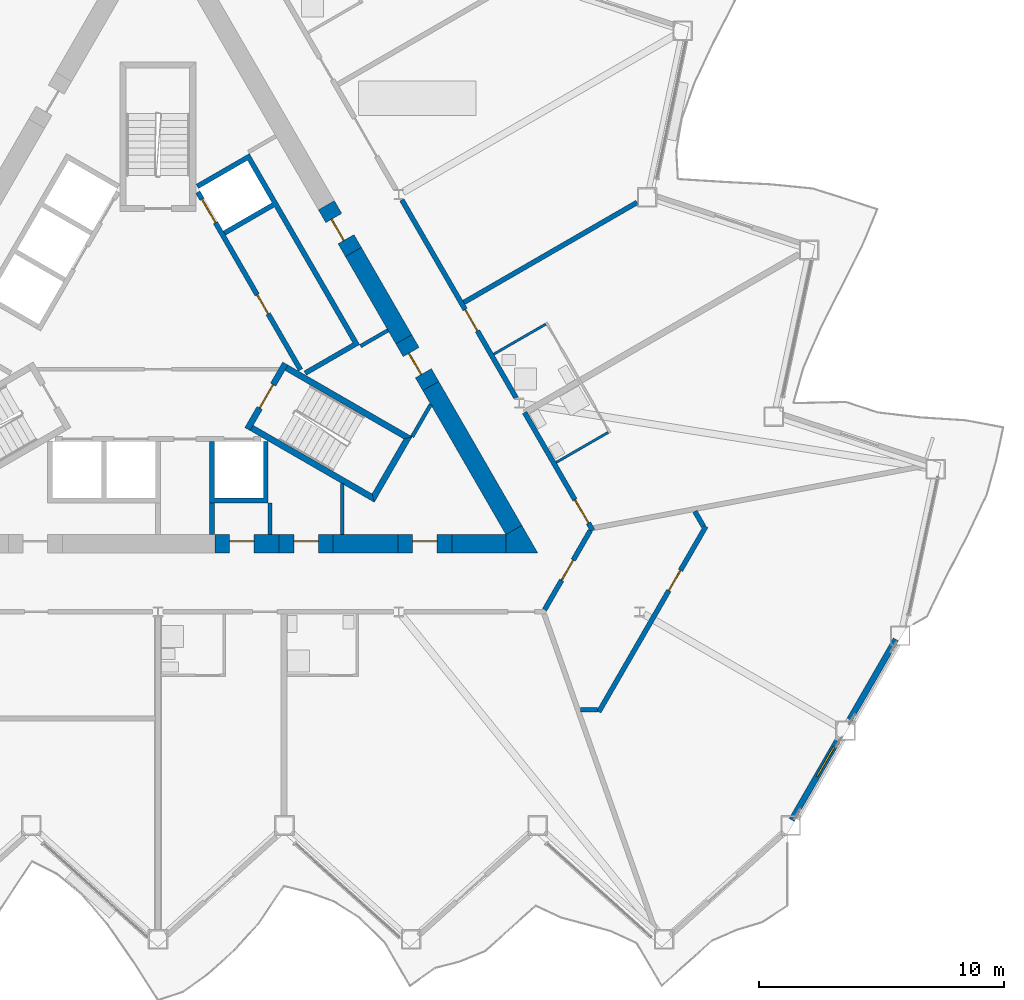
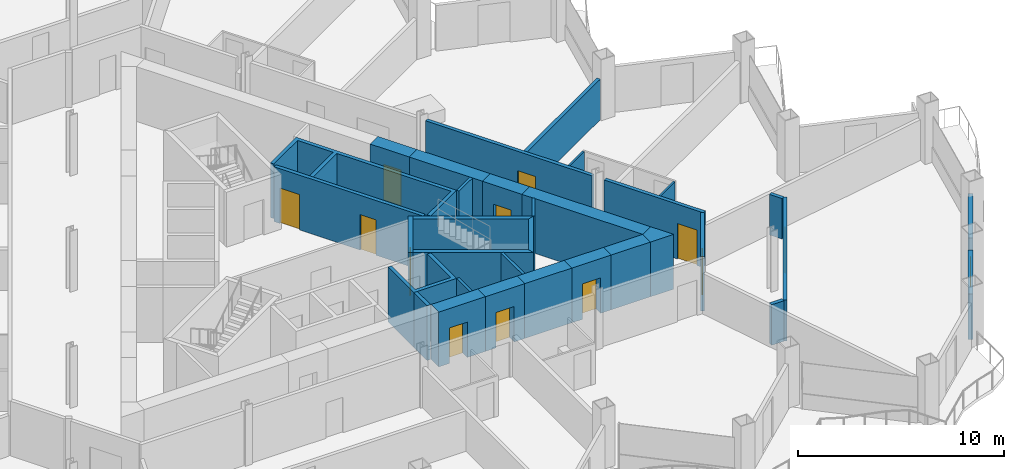
# One storey, part 12 of 22: 33 walls, 12 doors, 1 window, 13 openings.
"""IFC4 building model written with IfcOpenShell, lengths in metres."""

from ifc_helpers import new_model, si_unit, direction, frame, frame_2d, origin, place, context, subcontext, project, spatial, polyline, rectangle, outline, extrude, material, layer, layer_set, type_object, element, fill, save


model = new_model("IFC4")

# Units and contexts
model_context = context("Model", 3, precision=1e-05, world=origin(), true_north=direction((0.0, 1.0)))
body_context = subcontext(model_context, "Body", "Model", "MODEL_VIEW")
ifc_project = project(units=[si_unit("LENGTHUNIT", "METRE"), si_unit("AREAUNIT", "SQUARE_METRE"), si_unit("VOLUMEUNIT", "CUBIC_METRE"), si_unit("PLANEANGLEUNIT", "RADIAN"), si_unit("MASSUNIT", "GRAM", prefix="KILO")], contexts=[model_context])

# Site, building, storey
site_placement = place(None, origin())
site = spatial("IfcSite", under=ifc_project, at=site_placement, CompositionType="ELEMENT")
building_placement = place(site_placement, origin())
building = spatial("IfcBuilding", under=site, at=building_placement, Name="Cormorant Prow Tower", CompositionType="ELEMENT")
storey_placement = place(building_placement, frame((0.0, 0.0, 198.0)))
storey = spatial("IfcBuildingStorey", under=building, at=storey_placement, Name="L43", CompositionType="ELEMENT", Elevation=198.0)

# Walls
ifc_material_1 = material(Name="Gypsum board partition")
ifc_layer_1 = layer(ifc_material_1, 0.14990234375)
ifc_layer_set_1 = layer_set([ifc_layer_1], Name="Gypsum board partition")
wall_type_1 = type_object("IfcWallType", Name="Core partition 150", PredefinedType="PARTITIONING", material=ifc_layer_set_1)
for number, where, z_axis, x_axis, name in (
    (1, (8.268310546875, -0.509033203125, 0.0), (0.0, 0.0, 1.0), (0.866003189247, 0.500038474733, 0.0), "Service room partition"),
    (2, (4.574951171875, -6.906005859375, 0.0), (0.0, 0.0, 1.0), (0.0, -1.0, 0.0), "Service room partition"),
):
    element("IfcWall", number, at=place(storey_placement, frame(where, z_axis=z_axis, x_axis=x_axis)), inside=storey, type_object=wall_type_1, Name=name, PredefinedType="PARTITIONING", context=body_context, shape_type="SweptSolid", body=[
        extrude(rectangle(XDim=1.29296875, YDim=0.14990234375, at=frame_2d((0.646484375, 0.0))), origin(), (0.0, 0.0, 1.0), 3.25),
    ])
wall_1_placement = place(storey_placement, frame((7.515380859375, -8.198974609375, 0.0), z_axis=(0.0, 0.0, 1.0), x_axis=(0.0, 1.0, 0.0)))
element("IfcWall", 3, at=wall_1_placement, inside=storey, type_object=wall_type_1, Name="Service room partition", PredefinedType="PARTITIONING", context=body_context, shape_type="SweptSolid", body=[
    extrude(rectangle(XDim=2.087158203125, YDim=0.14990234375, at=frame_2d((1.04345703125, 0.0))), origin(), (0.0, 0.0, 1.0), 3.25),
])
wall_2_placement = place(storey_placement, frame((10.37353515625, -4.206298828125, 0.0), z_axis=(0.0, 0.0, 1.0), x_axis=(0.500037110984, 0.866003976688, 0.0)))
element("IfcWall", 4, at=wall_2_placement, inside=storey, type_object=wall_type_1, Name="Service room partition", PredefinedType="PARTITIONING", context=body_context, shape_type="SweptSolid", body=[
    extrude(rectangle(XDim=1.5224609375, YDim=0.14990234375, at=frame_2d((0.76123046875, 0.0))), origin(), (0.0, 0.0, 1.0), 3.25),
])
ifc_material_2 = material(Name="Concrete 8000 psi", Category="concrete")
ifc_layer_2 = layer(ifc_material_2, 0.75)
ifc_layer_set_2 = layer_set([ifc_layer_2], Name="Concrete 8000 psi")
wall_type_2 = type_object("IfcWallType", Name="Core shear wall 750", PredefinedType="SHEAR", material=ifc_layer_set_2)
wall_3_placement = place(storey_placement, frame((7.14501953125, -8.573974609375, 0.0), z_axis=(0.0, 0.0, 1.0), x_axis=(1.0, 0.0, 0.0)))
element("IfcWall", 5, at=wall_3_placement, inside=storey, type_object=wall_type_2, Name="Core wall", PredefinedType="SHEAR", context=body_context, shape_type="SweptSolid", body=[
    extrude(rectangle(XDim=2.650634765625, YDim=0.75, at=frame_2d((1.3251953125, 0.0))), origin(), (0.0, 0.0, 1.0), 3.25),
])
wall_4_placement = place(storey_placement, frame((11.99560546875, -8.573974609375, 0.0), z_axis=(0.0, 0.0, 1.0), x_axis=(1.0, 0.0, 0.0)))
element("IfcWall", 6, at=wall_4_placement, inside=storey, type_object=wall_type_2, Name="Core wall", PredefinedType="SHEAR", context=body_context, shape_type="SweptSolid", body=[
    extrude(rectangle(XDim=2.205322265625, YDim=0.75, at=frame_2d((1.1025390625, 0.0))), origin(), (0.0, 0.0, 1.0), 3.25),
])
wall_5_placement = place(storey_placement, frame((14.525634765625, -8.011474609375, 0.0), z_axis=(0.0, 0.0, 1.0), x_axis=(-0.499982018922, 0.866035784916, 0.0)))
element("IfcWall", 7, at=wall_5_placement, inside=storey, type_object=wall_type_2, Name="Core wall", PredefinedType="SHEAR", context=body_context, shape_type="SweptSolid", body=[
    extrude(rectangle(XDim=6.784912109375, YDim=0.75, at=frame_2d((3.392578125, 0.0))), origin(), (0.0, 0.0, 1.0), 3.25),
])
wall_6_placement = place(storey_placement, frame((10.033203125, -0.22998046875, 0.0), z_axis=(0.0, 0.0, 1.0), x_axis=(-0.500030520673, 0.866007781949, 0.0)))
element("IfcWall", 8, at=wall_6_placement, inside=storey, type_object=wall_type_2, Name="Core wall", PredefinedType="SHEAR", context=body_context, shape_type="SweptSolid", body=[
    extrude(rectangle(XDim=4.115966796875, YDim=0.75, at=frame_2d((2.05810546875, 0.0))), origin(), (0.0, 0.0, 1.0), 3.25),
])
wall_7_placement = place(storey_placement, origin())
element("IfcWall", 9, at=wall_7_placement, inside=storey, type_object=wall_type_2, Name="Core wall corner", PredefinedType="SHEAR", context=body_context, shape_type="SweptSolid", body=[
    extrude(outline(polyline([(14.200927734375, -8.948974609375), (14.200927734375, -8.198974609375), (14.8505859375, -7.823974609375), (15.5, -8.948974609375), (14.200927734375, -8.948974609375)])), origin(), (0.0, 0.0, 1.0), 3.25),
])

# Wall, opening, door
wall_8_placement = place(storey_placement, frame((2.320068359375, -8.573974609375, 0.0), z_axis=(0.0, 0.0, 1.0), x_axis=(1.0, 0.0, 0.0)))
wall_8 = element("IfcWall", 10, at=wall_8_placement, inside=storey, type_object=wall_type_2, Name="Core wall door panel", PredefinedType="SHEAR", context=body_context, shape_type="SweptSolid", body=[
    extrude(rectangle(XDim=2.625, YDim=0.75, at=frame_2d((1.3125, 0.0))), origin(), (0.0, 0.0, 1.0), 3.25),
])
opening_1_placement = place(wall_8_placement, frame((0.60009765625, 0.0, 0.0)))
opening_1 = element("IfcOpeningElement", 11, at=opening_1_placement, cuts=wall_8, Name="Opening L43-C13", PredefinedType="OPENING", context=body_context, shape_type="SweptSolid", body=[
    extrude(rectangle(XDim=1.0, YDim=2.10009765625, at=frame_2d((0.5, 1.050048828125))), frame((0.0, 0.385009765625, 0.0), z_axis=(0.0, -1.0, 0.0), x_axis=(1.0, 0.0, 0.0)), (0.0, 0.0, 1.0), 0.77001953125),
])
ifc_material_3 = material(Name="Painted steel", Category="steel")
door_type_1 = type_object("IfcDoorType", Name="Service door 1000x2100", OperationType="NOTDEFINED", PredefinedType="DOOR", material=ifc_material_3)
door_1_placement = place(opening_1_placement, origin())
door_1 = element("IfcDoor", 12, at=door_1_placement, inside=storey, type_object=door_type_1, Name="Core door, Telecom room", OperationType="SINGLE_SWING_LEFT", OverallHeight=2.10009765625, OverallWidth=1.0, PredefinedType="DOOR", context=body_context, shape_type="SweptSolid", body=[
    extrude(rectangle(XDim=1.0, YDim=2.10009765625, at=frame_2d((0.5, 1.050048828125))), frame((0.0, 0.1298828125, 0.0), z_axis=(0.0, -1.0, 0.0), x_axis=(1.0, 0.0, 0.0)), (0.0, 0.0, 1.0), 0.050048828125),
])
fill(opening_1, door_1)

wall_9_placement = place(storey_placement, frame((4.945068359375, -8.573974609375, 0.0), z_axis=(0.0, 0.0, 1.0), x_axis=(1.0, 0.0, 0.0)))
wall_9 = element("IfcWall", 13, at=wall_9_placement, inside=storey, type_object=wall_type_2, Name="Core wall door panel", PredefinedType="SHEAR", context=body_context, shape_type="SweptSolid", body=[
    extrude(rectangle(XDim=2.199951171875, YDim=0.75, at=frame_2d((1.10009765625, 0.0))), origin(), (0.0, 0.0, 1.0), 3.25),
])
opening_2_placement = place(wall_9_placement, frame((0.60009765625, 0.0, 0.0)))
opening_2 = element("IfcOpeningElement", 14, at=opening_2_placement, cuts=wall_9, Name="Opening L43-C15", PredefinedType="OPENING", context=body_context, shape_type="SweptSolid", body=[
    extrude(rectangle(XDim=1.0, YDim=2.10009765625, at=frame_2d((0.5, 1.050048828125))), frame((0.0, 0.385009765625, 0.0), z_axis=(0.0, -1.0, 0.0), x_axis=(1.0, 0.0, 0.0)), (0.0, 0.0, 1.0), 0.77001953125),
])
door_2_placement = place(opening_2_placement, origin())
door_2 = element("IfcDoor", 15, at=door_2_placement, inside=storey, type_object=door_type_1, Name="Core door, Electrical room", OperationType="SINGLE_SWING_RIGHT", OverallHeight=2.10009765625, OverallWidth=1.0, PredefinedType="DOOR", context=body_context, shape_type="SweptSolid", body=[
    extrude(rectangle(XDim=1.0, YDim=2.10009765625, at=frame_2d((0.5, 1.050048828125))), frame((0.0, 0.1298828125, 0.0), z_axis=(0.0, -1.0, 0.0), x_axis=(1.0, 0.0, 0.0)), (0.0, 0.0, 1.0), 0.050048828125),
])
fill(opening_2, door_2)

wall_10_placement = place(storey_placement, frame((9.795654296875, -8.573974609375, 0.0), z_axis=(0.0, 0.0, 1.0), x_axis=(1.0, 0.0, 0.0)))
wall_10 = element("IfcWall", 16, at=wall_10_placement, inside=storey, type_object=wall_type_2, Name="Core wall door panel", PredefinedType="SHEAR", context=body_context, shape_type="SweptSolid", body=[
    extrude(rectangle(XDim=2.199951171875, YDim=0.75, at=frame_2d((1.10009765625, 0.0))), origin(), (0.0, 0.0, 1.0), 3.25),
])
opening_3_placement = place(wall_10_placement, frame((0.60009765625, 0.0, 0.0)))
opening_3 = element("IfcOpeningElement", 17, at=opening_3_placement, cuts=wall_10, Name="Opening L43-C16", PredefinedType="OPENING", context=body_context, shape_type="SweptSolid", body=[
    extrude(rectangle(XDim=1.0, YDim=2.10009765625, at=frame_2d((0.5, 1.050048828125))), frame((0.0, 0.385009765625, 0.0), z_axis=(0.0, -1.0, 0.0), x_axis=(1.0, 0.0, 0.0)), (0.0, 0.0, 1.0), 0.77001953125),
])
door_3_placement = place(opening_3_placement, origin())
door_3 = element("IfcDoor", 18, at=door_3_placement, inside=storey, type_object=door_type_1, Name="Core door, Mechanical riser room", OperationType="SINGLE_SWING_RIGHT", OverallHeight=2.10009765625, OverallWidth=1.0, PredefinedType="DOOR", context=body_context, shape_type="SweptSolid", body=[
    extrude(rectangle(XDim=1.0, YDim=2.10009765625, at=frame_2d((0.5, 1.050048828125))), frame((0.0, 0.1298828125, 0.0), z_axis=(0.0, -1.0, 0.0), x_axis=(1.0, 0.0, 0.0)), (0.0, 0.0, 1.0), 0.050048828125),
])
fill(opening_3, door_3)

wall_11_placement = place(storey_placement, frame((7.975341796875, 3.33447265625, 0.0), z_axis=(0.0, 0.0, 1.0), x_axis=(-0.500077893725, 0.86598042715, 0.0)))
wall_11 = element("IfcWall", 19, at=wall_11_placement, inside=storey, type_object=wall_type_2, Name="Core wall door panel", PredefinedType="SHEAR", context=body_context, shape_type="SweptSolid", body=[
    extrude(rectangle(XDim=2.199951171875, YDim=0.75, at=frame_2d((1.10009765625, 0.0))), origin(), (0.0, 0.0, 1.0), 3.25),
])
opening_4_placement = place(wall_11_placement, frame((0.60009765625, 0.0, 0.0)))
opening_4 = element("IfcOpeningElement", 20, at=opening_4_placement, cuts=wall_11, Name="Opening L43-C18", PredefinedType="OPENING", context=body_context, shape_type="SweptSolid", body=[
    extrude(rectangle(XDim=1.0, YDim=2.10009765625, at=frame_2d((0.5, 1.050048828125))), frame((0.0, 0.385009765625, 0.0), z_axis=(0.0, -1.0, 0.0), x_axis=(1.0, 0.0, 0.0)), (0.0, 0.0, 1.0), 0.77001953125),
])
door_4_placement = place(opening_4_placement, origin())
door_4 = element("IfcDoor", 21, at=door_4_placement, inside=storey, type_object=door_type_1, Name="Core door, Pantry store", OperationType="SINGLE_SWING_LEFT", OverallHeight=2.10009765625, OverallWidth=1.0, PredefinedType="DOOR", context=body_context, shape_type="SweptSolid", body=[
    extrude(rectangle(XDim=1.0, YDim=2.10009765625, at=frame_2d((0.5, 1.050048828125))), frame((0.0, 0.1298828125, 0.0), z_axis=(0.0, -1.0, 0.0), x_axis=(1.0, 0.0, 0.0)), (0.0, 0.0, 1.0), 0.050048828125),
])
fill(opening_4, door_4)

wall_12_placement = place(storey_placement, frame((11.13330078125, -2.135498046875, 0.0), z_axis=(0.0, 0.0, 1.0), x_axis=(-0.499981787252, 0.866035918664, 0.0)))
wall_12 = element("IfcWall", 22, at=wall_12_placement, inside=storey, type_object=wall_type_2, Name="Core wall door panel", PredefinedType="SHEAR", context=body_context, shape_type="SweptSolid", body=[
    extrude(rectangle(XDim=2.2001953125, YDim=0.75, at=frame_2d((1.10009765625, 0.0))), origin(), (0.0, 0.0, 1.0), 3.25),
])
opening_5_placement = place(wall_12_placement, frame((0.60009765625, 0.0, 0.0)))
opening_5 = element("IfcOpeningElement", 23, at=opening_5_placement, cuts=wall_12, Name="Opening L43-C20", PredefinedType="OPENING", context=body_context, shape_type="SweptSolid", body=[
    extrude(rectangle(XDim=1.0, YDim=2.10009765625, at=frame_2d((0.5, 1.050048828125))), frame((0.0, 0.385009765625, 0.0), z_axis=(0.0, -1.0, 0.0), x_axis=(1.0, 0.0, 0.0)), (0.0, 0.0, 1.0), 0.77001953125),
])
door_5_placement = place(opening_5_placement, origin())
door_5 = element("IfcDoor", 24, at=door_5_placement, inside=storey, type_object=door_type_1, Name="Core door, Mechanical riser room", OperationType="SINGLE_SWING_RIGHT", OverallHeight=2.10009765625, OverallWidth=1.0, PredefinedType="DOOR", context=body_context, shape_type="SweptSolid", body=[
    extrude(rectangle(XDim=1.0, YDim=2.10009765625, at=frame_2d((0.5, 1.050048828125))), frame((0.0, 0.1298828125, 0.0), z_axis=(0.0, -1.0, 0.0), x_axis=(1.0, 0.0, 0.0)), (0.0, 0.0, 1.0), 0.050048828125),
])
fill(opening_5, door_5)

ifc_material_4 = material(Name="Gypsum board corridor wall")
ifc_layer_3 = layer(ifc_material_4, 0.199951171875)
ifc_layer_set_3 = layer_set([ifc_layer_3], Name="Gypsum board corridor wall")
wall_type_3 = type_object("IfcWallType", Name="Corridor wall 200", PredefinedType="PARTITIONING", material=ifc_layer_set_3)
wall_13_placement = place(storey_placement, frame((9.951904296875, 5.460693359375, 0.0), z_axis=(0.0, 0.0, 1.0), x_axis=(0.50000393355, -0.866023132736, 0.0)))
wall_13 = element("IfcWall", 25, at=wall_13_placement, inside=storey, type_object=wall_type_3, Name="Corridor wall", PredefinedType="PARTITIONING", context=body_context, shape_type="SweptSolid", body=[
    extrude(rectangle(XDim=9.3349609375, YDim=0.199951171875, at=frame_2d((4.66748046875, 0.0))), origin(), (0.0, 0.0, 1.0), 3.25),
])
opening_6_placement = place(wall_13_placement, frame((5.171875, 0.0, 0.0)))
opening_6 = element("IfcOpeningElement", 26, at=opening_6_placement, cuts=wall_13, Name="Opening L43-F11", PredefinedType="OPENING", context=body_context, shape_type="SweptSolid", body=[
    extrude(rectangle(XDim=1.0, YDim=2.10009765625, at=frame_2d((0.5, 1.050048828125))), frame((0.0, 0.10986328125, 0.0), z_axis=(0.0, -1.0, 0.0), x_axis=(1.0, 0.0, 0.0)), (0.0, 0.0, 1.0), 0.219970703125),
])
ifc_material_5 = material(Name="Timber door leaf", Category="wood")
door_type_2 = type_object("IfcDoorType", Name="Flat or room entrance door 1000x2100", OperationType="NOTDEFINED", PredefinedType="DOOR", material=ifc_material_5)
door_6_placement = place(opening_6_placement, origin())
door_6 = element("IfcDoor", 27, at=door_6_placement, inside=storey, type_object=door_type_2, Name="Guest room door", OperationType="SINGLE_SWING_LEFT", OverallHeight=2.10009765625, OverallWidth=1.0, PredefinedType="DOOR", context=body_context, shape_type="SweptSolid", body=[
    extrude(rectangle(XDim=1.0, YDim=2.10009765625, at=frame_2d((0.5, 1.050048828125))), frame((0.0, 0.02490234375, 0.0), z_axis=(0.0, -1.0, 0.0), x_axis=(1.0, 0.0, 0.0)), (0.0, 0.0, 1.0), 0.050048828125),
])
fill(opening_6, door_6)

wall_14_placement = place(storey_placement, frame((14.9619140625, -3.217041015625, 0.0), z_axis=(0.0, 0.0, 1.0), x_axis=(0.500013660489, -0.866017516754, 0.0)))
wall_14 = element("IfcWall", 28, at=wall_14_placement, inside=storey, type_object=wall_type_3, Name="Corridor wall", PredefinedType="PARTITIONING", context=body_context, shape_type="SweptSolid", body=[
    extrude(rectangle(XDim=5.563720703125, YDim=0.199951171875, at=frame_2d((2.78173828125, 0.0))), origin(), (0.0, 0.0, 1.0), 3.25),
])
opening_7_placement = place(wall_14_placement, frame((4.1123046875, 0.0, 0.0)))
opening_7 = element("IfcOpeningElement", 29, at=opening_7_placement, cuts=wall_14, Name="Opening L43-F09", PredefinedType="OPENING", context=body_context, shape_type="SweptSolid", body=[
    extrude(rectangle(XDim=1.10009765625, YDim=2.10009765625, at=frame_2d((0.550048828125, 1.050048828125))), frame((0.0, 0.10986328125, 0.0), z_axis=(0.0, -1.0, 0.0), x_axis=(1.0, 0.0, 0.0)), (0.0, 0.0, 1.0), 0.219970703125),
])
ifc_material_6 = material(Name="Timber door leaf", Category="wood")
door_type_3 = type_object("IfcDoorType", Name="Suite entrance door 1100x2100", OperationType="NOTDEFINED", PredefinedType="DOOR", material=ifc_material_6)
door_7_placement = place(opening_7_placement, origin())
door_7 = element("IfcDoor", 30, at=door_7_placement, inside=storey, type_object=door_type_3, Name="Junior suite door", OperationType="SINGLE_SWING_RIGHT", OverallHeight=2.10009765625, OverallWidth=1.10009765625, PredefinedType="DOOR", context=body_context, shape_type="SweptSolid", body=[
    extrude(rectangle(XDim=1.10009765625, YDim=2.10009765625, at=frame_2d((0.550048828125, 1.050048828125))), frame((0.0, 0.02490234375, 0.0), z_axis=(0.0, -1.0, 0.0), x_axis=(1.0, 0.0, 0.0)), (0.0, 0.0, 1.0), 0.050048828125),
])
fill(opening_7, door_7)

wall_15_placement = place(storey_placement, frame((15.781005859375, -11.26220703125, 0.0), z_axis=(0.0, 0.0, 1.0), x_axis=(0.499958791762, 0.866049194065, 0.0)))
wall_15 = element("IfcWall", 31, at=wall_15_placement, inside=storey, type_object=wall_type_3, Name="Corridor wall", PredefinedType="PARTITIONING", context=body_context, shape_type="SweptSolid", body=[
    extrude(rectangle(XDim=3.725830078125, YDim=0.199951171875, at=frame_2d((1.86279296875, 0.0))), origin(), (0.0, 0.0, 1.0), 3.25),
])
opening_8_placement = place(wall_15_placement, frame((1.387939453125, 0.0, 0.0)))
opening_8 = element("IfcOpeningElement", 32, at=opening_8_placement, cuts=wall_15, Name="Opening L43-F07", PredefinedType="OPENING", context=body_context, shape_type="SweptSolid", body=[
    extrude(rectangle(XDim=0.949951171875, YDim=2.10009765625, at=frame_2d((0.47509765625, 1.050048828125))), frame((0.0, 0.10986328125, 0.0), z_axis=(0.0, -1.0, 0.0), x_axis=(1.0, 0.0, 0.0)), (0.0, 0.0, 1.0), 0.219970703125),
])
ifc_material_7 = material(Name="Timber door leaf", Category="wood")
door_type_4 = type_object("IfcDoorType", Name="Store door 950x2100", OperationType="NOTDEFINED", PredefinedType="DOOR", material=ifc_material_7)
door_8_placement = place(opening_8_placement, origin())
door_8 = element("IfcDoor", 33, at=door_8_placement, inside=storey, type_object=door_type_4, Name="Housekeeping room door", OperationType="SINGLE_SWING_LEFT", OverallHeight=2.10009765625, OverallWidth=0.949951171875, PredefinedType="DOOR", context=body_context, shape_type="SweptSolid", body=[
    extrude(rectangle(XDim=0.949951171875, YDim=2.10009765625, at=frame_2d((0.47509765625, 1.050048828125))), frame((0.0, 0.02490234375, 0.0), z_axis=(0.0, -1.0, 0.0), x_axis=(1.0, 0.0, 0.0)), (0.0, 0.0, 1.0), 0.050048828125),
])
fill(opening_8, door_8)

ifc_material_8 = material(Name="Gypsum board demising wall")
ifc_layer_4 = layer(ifc_material_8, 0.199951171875)
ifc_layer_set_4 = layer_set([ifc_layer_4], Name="Gypsum board demising wall")
wall_type_4 = type_object("IfcWallType", Name="Demising wall 200", PredefinedType="PARTITIONING", material=ifc_layer_set_4)
wall_16_placement = place(storey_placement, frame((17.990234375, -15.435546875, 0.0), z_axis=(0.0, 0.0, 1.0), x_axis=(0.500012451049, 0.866018215049, 0.0)))
wall_16 = element("IfcWall", 34, at=wall_16_placement, inside=storey, type_object=wall_type_4, Name="Demising wall", PredefinedType="PARTITIONING", context=body_context, shape_type="SweptSolid", body=[
    extrude(rectangle(XDim=8.744873046875, YDim=0.199951171875, at=frame_2d((4.37255859375, 0.0))), origin(), (0.0, 0.0, 1.0), 2.404296875),
])
opening_9_placement = place(wall_16_placement, frame((5.72119140625, 0.0, 0.0)))
opening_9 = element("IfcOpeningElement", 35, at=opening_9_placement, cuts=wall_16, Name="Opening L43-F08", PredefinedType="OPENING", context=body_context, shape_type="SweptSolid", body=[
    extrude(rectangle(XDim=0.949951171875, YDim=2.10009765625, at=frame_2d((0.47509765625, 1.050048828125))), frame((0.0, 0.10986328125, 0.0), z_axis=(0.0, -1.0, 0.0), x_axis=(1.0, 0.0, 0.0)), (0.0, 0.0, 1.0), 0.219970703125),
])
door_9_placement = place(opening_9_placement, origin())
door_9 = element("IfcDoor", 36, at=door_9_placement, inside=storey, type_object=door_type_4, Name="Ice and vending room door", OperationType="SINGLE_SWING_RIGHT", OverallHeight=2.10009765625, OverallWidth=0.949951171875, PredefinedType="DOOR", context=body_context, shape_type="SweptSolid", body=[
    extrude(rectangle(XDim=0.949951171875, YDim=2.10009765625, at=frame_2d((0.47509765625, 1.050048828125))), frame((0.0, 0.02490234375, 0.0), z_axis=(0.0, -1.0, 0.0), x_axis=(1.0, 0.0, 0.0)), (0.0, 0.0, 1.0), 0.050048828125),
])
fill(opening_9, door_9)

# Walls
wall_17_placement = place(storey_placement, frame((12.484375, 1.2744140625, 0.0), z_axis=(0.0, 0.0, 1.0), x_axis=(0.866026229868, 0.499998569178, 0.0)))
element("IfcWall", 37, at=wall_17_placement, inside=storey, type_object=wall_type_4, Name="Demising wall", PredefinedType="PARTITIONING", context=body_context, shape_type="SweptSolid", body=[
    extrude(rectangle(XDim=8.1640625, YDim=0.199951171875, at=frame_2d((4.08203125, 0.0))), origin(), (0.0, 0.0, 1.0), 2.404296875),
])
for number, where, z_axis, x_axis, name in (
    (38, (17.236328125, -15.348876953125, 0.0), (0.0, 0.0, 1.0), (1.0, 0.0, 0.0), "Demising wall"),
    (39, (21.91064453125, -7.252685546875, 0.0), (0.0, 0.0, 1.0), (0.500092692325, -0.865971881231, 0.0), "Demising wall"),
):
    element("IfcWall", number, at=place(storey_placement, frame(where, z_axis=z_axis, x_axis=x_axis)), inside=storey, type_object=wall_type_4, Name=name, PredefinedType="PARTITIONING", context=body_context, shape_type="SweptSolid", body=[
        extrude(rectangle(XDim=0.703857421875, YDim=0.199951171875, at=frame_2d((0.35205078125, 0.0))), origin(), (0.0, 0.0, 1.0), 2.404296875),
    ])
ifc_material_9 = material(Name="Gypsum board partition")
ifc_layer_5 = layer(ifc_material_9, 0.10009765625)
ifc_layer_set_5 = layer_set([ifc_layer_5], Name="Gypsum board partition")
wall_type_5 = type_object("IfcWallType", Name="Internal partition 100", PredefinedType="PARTITIONING", material=ifc_layer_set_5)
wall_18_placement = place(storey_placement, frame((13.70361328125, -0.83740234375, 0.0), z_axis=(0.0, 0.0, 1.0), x_axis=(0.865989751695, 0.500061746146, 0.0)))
element("IfcWall", 40, at=wall_18_placement, inside=storey, type_object=wall_type_5, Name="Internal partition", PredefinedType="PARTITIONING", context=body_context, shape_type="SweptSolid", body=[
    extrude(rectangle(XDim=2.449951171875, YDim=0.10009765625, at=frame_2d((1.22509765625, 0.0))), origin(), (0.0, 0.0, 1.0), 2.404296875),
])
wall_19_placement = place(storey_placement, frame((16.253662109375, -5.254150390625, 0.0), z_axis=(0.0, 0.0, 1.0), x_axis=(0.866032905446, 0.499987006516, 0.0)))
element("IfcWall", 41, at=wall_19_placement, inside=storey, type_object=wall_type_5, Name="Internal partition", PredefinedType="PARTITIONING", context=body_context, shape_type="SweptSolid", body=[
    extrude(rectangle(XDim=2.44970703125, YDim=0.10009765625, at=frame_2d((1.224853515625, 0.0))), origin(), (0.0, 0.0, 1.0), 2.404296875),
])

# Wall, openings, doors
ifc_material_10 = material(Name="Concrete 5000 psi", Category="concrete")
ifc_layer_6 = layer(ifc_material_10, 0.199951171875)
ifc_layer_set_6 = layer_set([ifc_layer_6], Name="Concrete 5000 psi")
wall_type_6 = type_object("IfcWallType", Name="Lift lobby wall 200", PredefinedType="SOLIDWALL", material=ifc_layer_set_6)
wall_20_placement = place(storey_placement, frame((5.817138671875, -1.4755859375, 0.0), z_axis=(0.0, 0.0, 1.0), x_axis=(-0.500002616675, 0.866023893041, 0.0)))
wall_20 = element("IfcWall", 42, at=wall_20_placement, inside=storey, type_object=wall_type_6, Name="Lift lobby wall, ENE block", PredefinedType="SOLIDWALL", context=body_context, shape_type="SweptSolid", body=[
    extrude(rectangle(XDim=8.373046875, YDim=0.199951171875, at=frame_2d((4.1865234375, 0.0))), origin(), (0.0, 0.0, 1.0), 3.25),
])
opening_10_placement = place(wall_20_placement, frame((2.63671875, 0.0, 0.0)))
opening_10 = element("IfcOpeningElement", 43, at=opening_10_placement, cuts=wall_20, Name="Opening L43-C05", PredefinedType="OPENING", context=body_context, shape_type="SweptSolid", body=[
    extrude(rectangle(XDim=0.89990234375, YDim=2.10009765625, at=frame_2d((0.449951171875, 1.050048828125))), frame((0.0, 0.10986328125, 0.0), z_axis=(0.0, -1.0, 0.0), x_axis=(1.0, 0.0, 0.0)), (0.0, 0.0, 1.0), 0.219970703125),
])
opening_11_placement = place(wall_20_placement, frame((6.9365234375, 0.0, 0.0)))
opening_11 = element("IfcOpeningElement", 44, at=opening_11_placement, cuts=wall_20, Name="Opening L43-C06", PredefinedType="OPENING", context=body_context, shape_type="SweptSolid", body=[
    extrude(rectangle(XDim=1.10009765625, YDim=2.10009765625, at=frame_2d((0.550048828125, 1.050048828125))), frame((0.0, 0.10986328125, 0.0), z_axis=(0.0, -1.0, 0.0), x_axis=(1.0, 0.0, 0.0)), (0.0, 0.0, 1.0), 0.219970703125),
])
ifc_material_11 = material(Name="Painted steel", Category="steel")
door_type_5 = type_object("IfcDoorType", Name="Lift landing door 1100x2100", OperationType="SLIDING_TO_LEFT", PredefinedType="DOOR", material=ifc_material_11)
door_10_placement = place(opening_11_placement, origin())
door_10 = element("IfcDoor", 45, at=door_10_placement, inside=storey, type_object=door_type_5, Name="Landing door MR1", OperationType="SLIDING_TO_LEFT", OverallHeight=2.10009765625, OverallWidth=1.10009765625, PredefinedType="DOOR", context=body_context, shape_type="SweptSolid", body=[
    extrude(rectangle(XDim=1.10009765625, YDim=2.10009765625, at=frame_2d((0.550048828125, 1.050048828125))), frame((0.0, 0.02490234375, 0.0), z_axis=(0.0, -1.0, 0.0), x_axis=(1.0, 0.0, 0.0)), (0.0, 0.0, 1.0), 0.050048828125),
])
fill(opening_11, door_10)
ifc_material_12 = material(Name="Painted steel", Category="steel")
door_type_6 = type_object("IfcDoorType", Name="Service door 900x2100", OperationType="NOTDEFINED", PredefinedType="DOOR", material=ifc_material_12)
door_11_placement = place(opening_10_placement, origin())
door_11 = element("IfcDoor", 46, at=door_11_placement, inside=storey, type_object=door_type_6, Name="Service door, Pantry store", OperationType="SINGLE_SWING_LEFT", OverallHeight=2.10009765625, OverallWidth=0.89990234375, PredefinedType="DOOR", context=body_context, shape_type="SweptSolid", body=[
    extrude(rectangle(XDim=0.89990234375, YDim=2.10009765625, at=frame_2d((0.449951171875, 1.050048828125))), frame((0.0, 0.02490234375, 0.0), z_axis=(0.0, -1.0, 0.0), x_axis=(1.0, 0.0, 0.0)), (0.0, 0.0, 1.0), 0.050048828125),
])
fill(opening_10, door_11)

# Walls
ifc_material_13 = material(Name="Concrete 8000 psi", Category="concrete")
ifc_layer_7 = layer(ifc_material_13, 0.199951171875)
ifc_layer_set_7 = layer_set([ifc_layer_7], Name="Concrete 8000 psi")
wall_type_7 = type_object("IfcWallType", Name="Lift shaft wall 200", PredefinedType="SHEAR", material=ifc_layer_set_7)
wall_21_placement = place(storey_placement, origin())
element("IfcWall", 47, at=wall_21_placement, inside=storey, type_object=wall_type_7, Name="Lift shaft walls, S block", PredefinedType="SHEAR", context=body_context, shape_type="SweptSolid", body=[
    extrude(outline(polyline([(4.5, -4.39990234375), (4.5, -6.906005859375), (2.10009765625, -6.906005859375), (2.10009765625, -4.39990234375), (2.300048828125, -4.39990234375), (2.300048828125, -6.699951171875), (4.300048828125, -6.699951171875), (4.300048828125, -4.39990234375), (4.5, -4.39990234375)])), origin(), (0.0, 0.0, 1.0), 3.25),
])
wall_22_placement = place(storey_placement, frame((2.199951171875, -6.906005859375, 0.0), z_axis=(0.0, 0.0, 1.0), x_axis=(0.0, -1.0, 0.0)))
element("IfcWall", 48, at=wall_22_placement, inside=storey, type_object=wall_type_7, Name="Store side wall", PredefinedType="SHEAR", context=body_context, shape_type="SweptSolid", body=[
    extrude(rectangle(XDim=1.29296875, YDim=0.199951171875, at=frame_2d((0.646484375, 0.0))), origin(), (0.0, 0.0, 1.0), 3.25),
])
wall_23_placement = place(storey_placement, origin())
element("IfcWall", 49, at=wall_23_placement, inside=storey, type_object=wall_type_7, Name="Lift shaft walls, ENE block", PredefinedType="SHEAR", context=body_context, shape_type="SweptSolid", body=[
    extrude(outline(polyline([(1.560546875, 6.09716796875), (3.730712890625, 7.35009765625), (8.230712890625, -0.444091796875), (6.060546875, -1.697021484375), (5.96044921875, -1.52392578125), (7.952392578125, -0.373779296875), (4.75244140625, 5.168701171875), (2.760498046875, 4.018798828125), (2.660400390625, 4.19189453125), (4.65234375, 5.341796875), (3.65234375, 7.073974609375), (1.660400390625, 5.923828125), (1.560546875, 6.09716796875)])), origin(), (0.0, 0.0, 1.0), 3.25),
])
ifc_material_14 = material(Name="Concrete 8000 psi", Category="concrete")
ifc_layer_8 = layer(ifc_material_14, 0.25)
ifc_layer_set_8 = layer_set([ifc_layer_8], Name="Concrete 8000 psi")
wall_type_8 = type_object("IfcWallType", Name="Stair wall 250", PredefinedType="SHEAR", material=ifc_layer_set_8)
wall_24_placement = place(storey_placement, origin())
element("IfcWall", 50, at=wall_24_placement, inside=storey, type_object=wall_type_8, Name="Stair ST2 enclosure wall (flank)", PredefinedType="SHEAR", context=body_context, shape_type="SweptSolid", body=[
    extrude(outline(polyline([(3.76318359375, -3.95556640625), (8.82958984375, -6.880615234375), (8.738037109375, -6.5390625), (3.88818359375, -3.739013671875), (3.76318359375, -3.95556640625)])), origin(), (0.0, 0.0, 1.0), 3.25),
])
wall_25_placement = place(storey_placement, origin())
element("IfcWall", 51, at=wall_25_placement, inside=storey, type_object=wall_type_8, Name="Stair ST2 enclosure wall (end)", PredefinedType="SHEAR", context=body_context, shape_type="SweptSolid", body=[
    extrude(outline(polyline([(8.82958984375, -6.880615234375), (10.37353515625, -4.206298828125), (10.031982421875, -4.2978515625), (8.738037109375, -6.5390625), (8.82958984375, -6.880615234375)])), origin(), (0.0, 0.0, 1.0), 3.25),
])
wall_26_placement = place(storey_placement, origin())
element("IfcWall", 52, at=wall_26_placement, inside=storey, type_object=wall_type_8, Name="Stair ST2 enclosure wall (flank)", PredefinedType="SHEAR", context=body_context, shape_type="SweptSolid", body=[
    extrude(outline(polyline([(10.031982421875, -4.2978515625), (10.37353515625, -4.206298828125), (5.30712890625, -1.28125), (5.18212890625, -1.497802734375), (10.031982421875, -4.2978515625)])), origin(), (0.0, 0.0, 1.0), 3.25),
])

# Wall, opening, door
wall_27_placement = place(storey_placement, frame((3.655029296875, -3.89306640625, 0.0), z_axis=(0.0, 0.0, 1.0), x_axis=(0.499982516597, 0.866035497597, 0.0)))
wall_27 = element("IfcWall", 53, at=wall_27_placement, inside=storey, type_object=wall_type_8, Name="Stair ST2 door wall", PredefinedType="SHEAR", context=body_context, shape_type="SweptSolid", body=[
    extrude(rectangle(XDim=3.087890625, YDim=0.25, at=frame_2d((1.5439453125, 0.0))), origin(), (0.0, 0.0, 1.0), 3.25),
])
opening_12_placement = place(wall_27_placement, frame((0.993896484375, 0.0, 0.0)))
opening_12 = element("IfcOpeningElement", 54, at=opening_12_placement, cuts=wall_27, Name="Opening L43-C11", PredefinedType="OPENING", context=body_context, shape_type="SweptSolid", body=[
    extrude(rectangle(XDim=1.10009765625, YDim=2.10009765625, at=frame_2d((0.550048828125, 1.050048828125))), frame((0.0, 0.135009765625, 0.0), z_axis=(0.0, -1.0, 0.0), x_axis=(1.0, 0.0, 0.0)), (0.0, 0.0, 1.0), 0.27001953125),
])
ifc_material_15 = material(Name="Painted steel", Category="steel")
door_type_7 = type_object("IfcDoorType", Name="Stair door 1100x2100", OperationType="NOTDEFINED", PredefinedType="DOOR", material=ifc_material_15)
door_12_placement = place(opening_12_placement, origin())
door_12 = element("IfcDoor", 55, at=door_12_placement, inside=storey, type_object=door_type_7, Name="Stair ST2 door", OperationType="SINGLE_SWING_RIGHT", OverallHeight=2.10009765625, OverallWidth=1.10009765625, PredefinedType="DOOR", context=body_context, shape_type="SweptSolid", body=[
    extrude(rectangle(XDim=1.10009765625, YDim=2.10009765625, at=frame_2d((0.550048828125, 1.050048828125))), frame((0.0, 0.02490234375, 0.0), z_axis=(0.0, -1.0, 0.0), x_axis=(1.0, 0.0, 0.0)), (0.0, 0.0, 1.0), 0.050048828125),
])
fill(opening_12, door_12)

# Wall, opening, window
ifc_material_16 = material(Name="Terracotta", Category="masonry")
ifc_layer_9 = layer(ifc_material_16, 0.25)
ifc_layer_set_9 = layer_set([ifc_layer_9], Name="Terracotta")
wall_type_9 = type_object("IfcWallType", Name="Terracotta bay wall 250", PredefinedType="SOLIDWALL", material=ifc_layer_set_9)
wall_28_placement = place(storey_placement, frame((25.868408203125, -19.844482421875, 0.0), z_axis=(0.0, 0.0, 1.0), x_axis=(0.499995303914, 0.866028115054, 0.0)))
wall_28 = element("IfcWall", 56, at=wall_28_placement, inside=storey, type_object=wall_type_9, Name="Terracotta bay wall ESE00", PredefinedType="SOLIDWALL", context=body_context, shape_type="SweptSolid", body=[
    extrude(rectangle(XDim=3.7177734375, YDim=0.25, at=frame_2d((1.85888671875, 0.0))), origin(), (0.0, 0.0, 1.0), 2.700927734375),
])
opening_13_placement = place(wall_28_placement, frame((2.050048828125, 0.0, 1.699951171875)))
opening_13 = element("IfcOpeningElement", 57, at=opening_13_placement, cuts=wall_28, Name="Opening WN3", PredefinedType="OPENING", context=body_context, shape_type="SweptSolid", body=[
    extrude(rectangle(XDim=1.39990234375, YDim=0.800048828125, at=frame_2d((0.699951171875, 0.39990234375))), frame((0.0, 0.135009765625, 0.0), z_axis=(0.0, -1.0, 0.0), x_axis=(1.0, 0.0, 0.0)), (0.0, 0.0, 1.0), 0.27001953125),
])
ifc_material_17 = material(Name="Aluminium 6063-T6", Category="aluminium")
window_type = type_object("IfcWindowType", Name="Corner bay window 1400x800", PartitioningType="SINGLE_PANEL", PredefinedType="WINDOW", material=ifc_material_17)
window_placement = place(opening_13_placement, origin())
window = element("IfcWindow", 58, at=window_placement, inside=storey, type_object=window_type, Name="Corner bay window ESE00", OverallHeight=0.800048828125, OverallWidth=1.39990234375, PartitioningType="SINGLE_PANEL", PredefinedType="WINDOW", context=body_context, shape_type="SweptSolid", body=[
    extrude(rectangle(XDim=1.39990234375, YDim=0.800048828125, at=frame_2d((0.699951171875, 0.39990234375))), frame((0.0, 0.030029296875, 0.0), z_axis=(0.0, -1.0, 0.0), x_axis=(1.0, 0.0, 0.0)), (0.0, 0.0, 1.0), 0.06005859375),
])
fill(opening_13, window)

# Wall
wall_29_placement = place(storey_placement, frame((28.232421875, -15.749755859375, 0.0), z_axis=(0.0, 0.0, 1.0), x_axis=(0.500034075199, 0.866005729565, 0.0)))
element("IfcWall", 59, at=wall_29_placement, inside=storey, type_object=wall_type_9, Name="Terracotta bay wall ESE01", PredefinedType="SOLIDWALL", context=body_context, shape_type="SweptSolid", body=[
    extrude(rectangle(XDim=3.775146484375, YDim=0.25, at=frame_2d((1.8876953125, 0.0))), origin(), (0.0, 0.0, 1.0), 2.700927734375),
])

save(model, "model.ifc")
